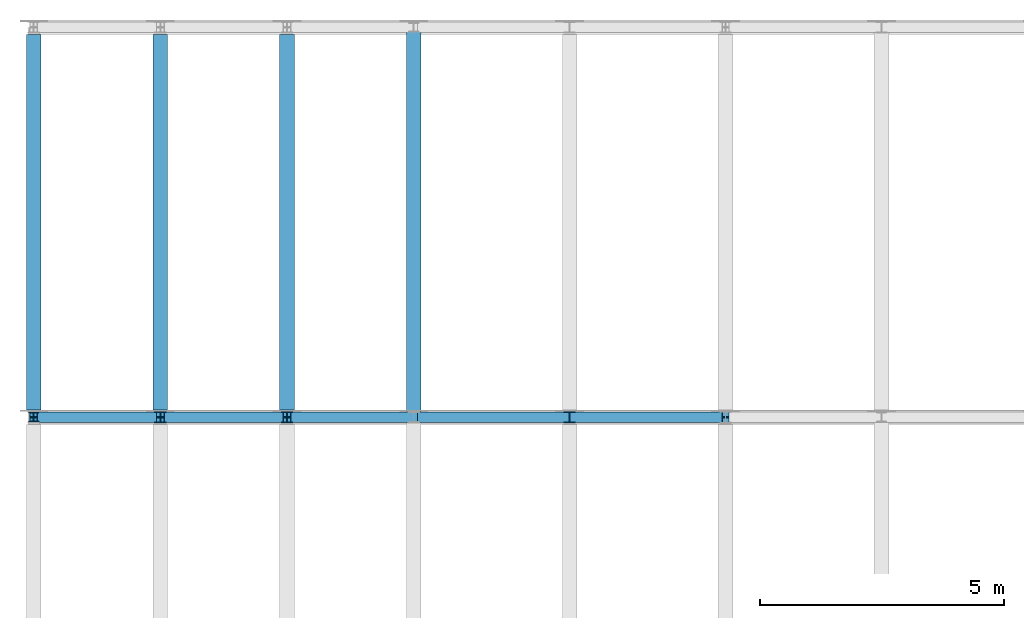
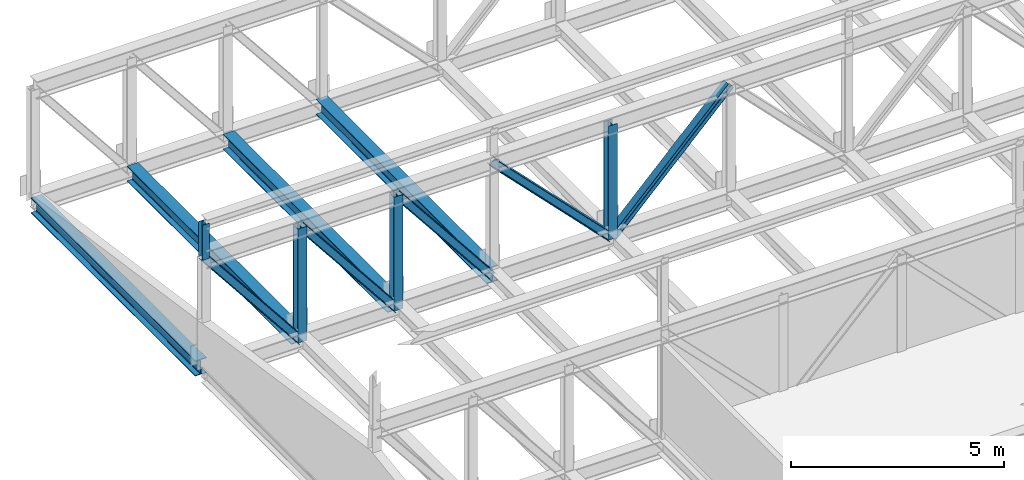
# One storey, part 18 of 34: 9 members, 4 beams.
"""IFC4 building model written with IfcOpenShell, lengths in metres."""

from ifc_helpers import new_model, si_unit, direction, frame, origin, origin_2d, place, context, subcontext, project, spatial, i_section, extrude, material, material_profile, profile_set, type_object, element, save


model = new_model("IFC4")

# Units and contexts
model_context = context("Model", 3, precision=1e-05, world=origin(), true_north=direction((0.0, 1.0)))
body_context = subcontext(model_context, "Body", "Model", "MODEL_VIEW")
ifc_project = project(units=[si_unit("LENGTHUNIT", "METRE"), si_unit("AREAUNIT", "SQUARE_METRE"), si_unit("VOLUMEUNIT", "CUBIC_METRE"), si_unit("PLANEANGLEUNIT", "RADIAN"), si_unit("MASSUNIT", "GRAM", prefix="KILO")], contexts=[model_context])

# Site, building, storey
site_placement = place(None, origin())
site = spatial("IfcSite", under=ifc_project, at=site_placement, CompositionType="ELEMENT")
building_placement = place(site_placement, origin())
building = spatial("IfcBuilding", under=site, at=building_placement, Name="Alderhovde Museum", CompositionType="ELEMENT")
storey_placement = place(building_placement, frame((0.0, 0.0, 25.800048828125)))
storey = spatial("IfcBuildingStorey", under=building, at=storey_placement, Name="L05", CompositionType="ELEMENT", Elevation=25.800048828125)

# Beams
ifc_material_1 = material(Name="Steel S355J2", Category="steel")
ifc_material_profile_1 = material_profile(ifc_material_1, i_section(OverallWidth=0.300048828125, OverallDepth=0.43994140625, WebThickness=0.011474609375, FlangeThickness=0.02099609375, FilletRadius=0.027099609375, at=origin_2d()), Name="HEA 450")
ifc_profile_set_1 = profile_set([ifc_material_profile_1], Name="Steel S355J2")
beam_type = type_object("IfcBeamType", Name="BM-HEA450", PredefinedType="BEAM", material=ifc_profile_set_1)
for number, where, z_axis, x_axis, name in (
    (1, (1.800048828125, 104.14990234375, -0.47998046875), (0.0, 1.0, 0.0), (-1.0, 0.0, 0.0), "L05 Transfer Transverse Beam X=1.8"),
    (2, (4.39990234375, 104.14990234375, -0.47998046875), (0.0, 1.0, 0.0), (-1.0, 0.0, 0.0), "L05 Transfer Transverse Beam X=4.4"),
    (3, (7.0, 104.14990234375, -0.47998046875), (0.0, 1.0, 0.0), (-1.0, 0.0, 0.0), "L05 Transfer Transverse Beam X=7.0"),
):
    element("IfcBeam", number, at=place(storey_placement, frame(where, z_axis=z_axis, x_axis=x_axis)), inside=storey, type_object=beam_type, Name=name, PredefinedType="BEAM", context=body_context, shape_type="SweptSolid", body=[
        extrude(i_section(OverallWidth=0.300048828125, OverallDepth=0.43994140625, WebThickness=0.011474609375, FlangeThickness=0.02099609375, FilletRadius=0.027099609375, at=origin_2d()), origin(), (0.0, 0.0, 1.0), 7.7001953125),
    ])
beam_placement = place(storey_placement, frame((9.60009765625, 104.0, -0.47998046875), z_axis=(0.0, 1.0, 0.0), x_axis=(-1.0, 0.0, 0.0)))
element("IfcBeam", 4, at=beam_placement, inside=storey, type_object=beam_type, Name="L05 Transfer Transverse Beam X=9.6", PredefinedType="BEAM", context=body_context, shape_type="SweptSolid", body=[
    extrude(i_section(OverallWidth=0.300048828125, OverallDepth=0.43994140625, WebThickness=0.011474609375, FlangeThickness=0.02099609375, FilletRadius=0.027099609375, at=origin_2d()), origin(), (0.0, 0.0, 1.0), 8.0),
])

# Members
ifc_material_2 = material(Name="Steel S355J2", Category="steel")
ifc_material_profile_2 = material_profile(ifc_material_2, i_section(OverallWidth=0.219970703125, OverallDepth=0.2099609375, WebThickness=0.007080078125, FlangeThickness=0.010986328125, FilletRadius=0.01806640625, at=origin_2d()), Name="HEA 220")
ifc_profile_set_2 = profile_set([ifc_material_profile_2], Name="Steel S355J2")
member_type_1 = type_object("IfcMemberType", Name="TR-DG-HEA220", PredefinedType="RAFTER", material=ifc_profile_set_2)
member_1_placement = place(storey_placement, frame((1.800048828125, 104.0, 2.75), z_axis=(0.623501892836, 0.0, -0.781821840082), x_axis=(0.0, 1.0, 0.0)))
element("IfcMember", 5, at=member_1_placement, inside=storey, type_object=member_type_1, Name="Transfer Truss Y=104 T3 Diagonal 1", PredefinedType="RAFTER", context=body_context, shape_type="SweptSolid", body=[
    extrude(i_section(OverallWidth=0.219970703125, OverallDepth=0.2099609375, WebThickness=0.007080078125, FlangeThickness=0.010986328125, FilletRadius=0.01806640625, at=origin_2d()), origin(), (0.0, 0.0, 1.0), 4.169677734375),
])
for number, where, z_axis, x_axis, name in (
    (6, (4.39990234375, 104.0, 2.75), (0.623537679463, 0.0, -0.781793298955), (0.0, 1.0, 0.0), "Transfer Truss Y=104 T3 Diagonal 2"),
    (7, (7.0, 104.0, 2.75), (0.623537679463, 0.0, -0.781793298955), (0.0, 1.0, 0.0), "Transfer Truss Y=104 T3 Diagonal 3"),
):
    element("IfcMember", number, at=place(storey_placement, frame(where, z_axis=z_axis, x_axis=x_axis)), inside=storey, type_object=member_type_1, Name=name, PredefinedType="RAFTER", context=body_context, shape_type="SweptSolid", body=[
        extrude(i_section(OverallWidth=0.219970703125, OverallDepth=0.2099609375, WebThickness=0.007080078125, FlangeThickness=0.010986328125, FilletRadius=0.01806640625, at=origin_2d()), origin(), (0.0, 0.0, 1.0), 4.169921875),
    ])
for number, where, z_axis, x_axis, name in (
    (8, (9.60009765625, 104.0, 2.75), (0.700502499188, 0.0, -0.713649948246), (0.0, 1.0, 0.0), "Transfer Truss Y=104 T3 Diagonal 4"),
    (9, (12.800048828125, 104.0, -0.510009765625), (0.700502499188, 0.0, 0.713649948246), (0.0, 1.0, 0.0), "Transfer Truss Y=104 T3 Diagonal 5"),
):
    element("IfcMember", number, at=place(storey_placement, frame(where, z_axis=z_axis, x_axis=x_axis)), inside=storey, type_object=member_type_1, Name=name, PredefinedType="RAFTER", context=body_context, shape_type="SweptSolid", body=[
        extrude(i_section(OverallWidth=0.219970703125, OverallDepth=0.2099609375, WebThickness=0.007080078125, FlangeThickness=0.010986328125, FilletRadius=0.01806640625, at=origin_2d()), origin(), (0.0, 0.0, 1.0), 4.568115234375),
    ])
ifc_material_3 = material(Name="Steel S355J2", Category="steel")
ifc_material_profile_3 = material_profile(ifc_material_3, i_section(OverallWidth=0.199951171875, OverallDepth=0.18994140625, WebThickness=0.006591796875, FlangeThickness=0.010009765625, FilletRadius=0.01806640625, at=origin_2d()), Name="HEA 200")
ifc_profile_set_3 = profile_set([ifc_material_profile_3], Name="Steel S355J2")
member_type_2 = type_object("IfcMemberType", Name="TR-PS-HEA200", PredefinedType="POST", material=ifc_profile_set_3)
member_2_placement = place(storey_placement, frame((1.800048828125, 104.0, 2.75), z_axis=(0.0, 0.0, 1.0), x_axis=(1.0, 0.0, 0.0)))
element("IfcMember", 10, at=member_2_placement, inside=storey, type_object=member_type_2, Name="Vol 4 Cantilever Tip Roof Post Y=104", PredefinedType="POST", context=body_context, shape_type="SweptSolid", body=[
    extrude(i_section(OverallWidth=0.199951171875, OverallDepth=0.18994140625, WebThickness=0.006591796875, FlangeThickness=0.010009765625, FilletRadius=0.01806640625, at=origin_2d()), origin(), (0.0, 0.0, 1.0), 1.0),
])
ifc_material_4 = material(Name="Steel S355J2", Category="steel")
ifc_material_profile_4 = material_profile(ifc_material_4, i_section(OverallWidth=0.239990234375, OverallDepth=0.22998046875, WebThickness=0.007568359375, FlangeThickness=0.011962890625, FilletRadius=0.02099609375, at=origin_2d()), Name="HEA 240")
ifc_profile_set_4 = profile_set([ifc_material_profile_4], Name="Steel S355J2")
member_type_3 = type_object("IfcMemberType", Name="TR-PS-HEA240", PredefinedType="POST", material=ifc_profile_set_4)
for number, where, z_axis, x_axis, name in (
    (11, (4.39990234375, 104.0, -0.510009765625), (0.0, 0.0, 1.0), (1.0, 0.0, 0.0), "Transfer Truss Y=104 T3 Post 2"),
    (12, (7.0, 104.0, -0.510009765625), (0.0, 0.0, 1.0), (1.0, 0.0, 0.0), "Transfer Truss Y=104 T3 Post 3"),
    (13, (12.800048828125, 104.0, -0.510009765625), (0.0, 0.0, 1.0), (1.0, 0.0, 0.0), "Transfer Truss Y=104 T3 Post 5"),
):
    element("IfcMember", number, at=place(storey_placement, frame(where, z_axis=z_axis, x_axis=x_axis)), inside=storey, type_object=member_type_3, Name=name, PredefinedType="POST", context=body_context, shape_type="SweptSolid", body=[
        extrude(i_section(OverallWidth=0.239990234375, OverallDepth=0.22998046875, WebThickness=0.007568359375, FlangeThickness=0.011962890625, FilletRadius=0.02099609375, at=origin_2d()), origin(), (0.0, 0.0, 1.0), 3.260009765625),
    ])

save(model, "model.ifc")
